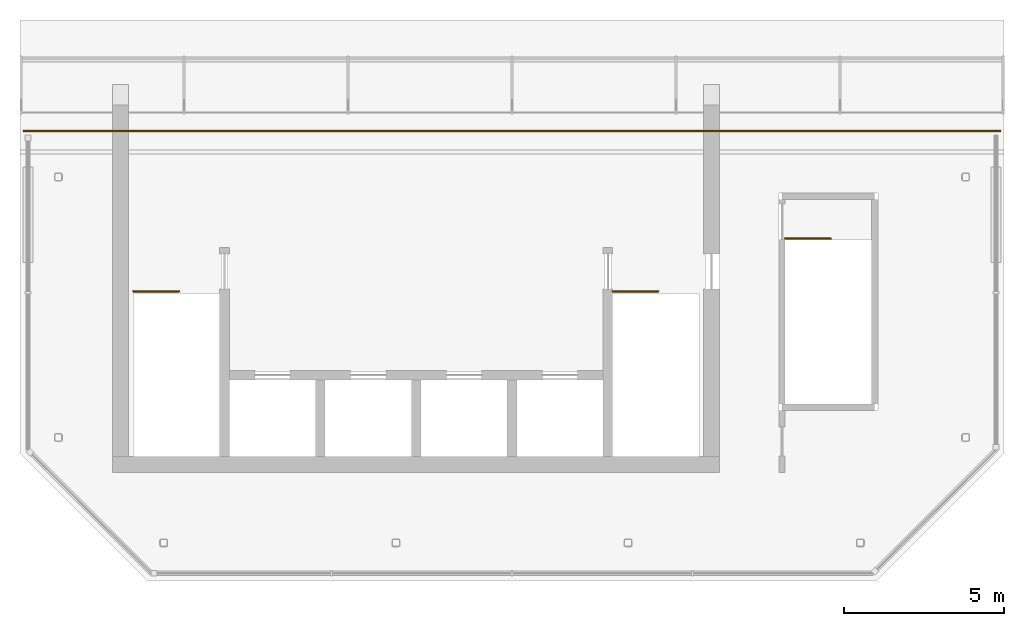
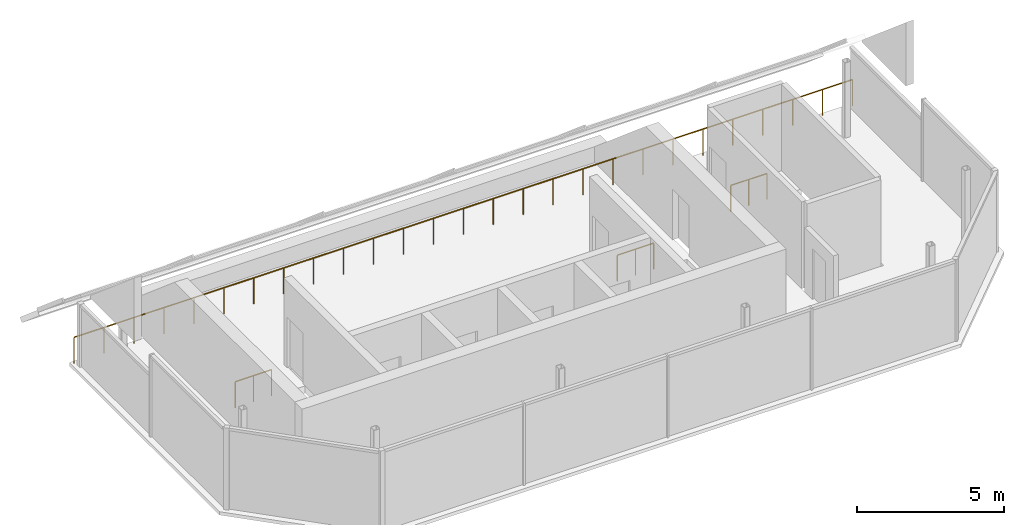
# One storey, part 3 of 3: 4 railings.
"""IFC4 building model written with IfcOpenShell, lengths in metres."""

from ifc_helpers import new_model, si_unit, direction, frame, origin, origin_2d, place, context, subcontext, project, spatial, circle, extrude, material, type_object, element, save


model = new_model("IFC4")

# Units and contexts
model_context = context("Model", 3, precision=1e-05, world=origin(), true_north=direction((0.0, 1.0)))
body_context = subcontext(model_context, "Body", "Model", "MODEL_VIEW")
ifc_project = project(units=[si_unit("LENGTHUNIT", "METRE"), si_unit("AREAUNIT", "SQUARE_METRE"), si_unit("VOLUMEUNIT", "CUBIC_METRE"), si_unit("PLANEANGLEUNIT", "RADIAN"), si_unit("MASSUNIT", "GRAM", prefix="KILO")], contexts=[model_context])

# Site, building, storey
site_placement = place(None, origin())
site = spatial("IfcSite", under=ifc_project, at=site_placement, CompositionType="ELEMENT")
building_placement = place(site_placement, origin())
building = spatial("IfcBuilding", under=site, at=building_placement, Name="Tskaro Facet Tower", CompositionType="ELEMENT")
storey_placement = place(building_placement, frame((0.0, 0.0, 311.699951171875)))
storey = spatial("IfcBuildingStorey", under=building, at=storey_placement, Name="L84", CompositionType="ELEMENT", Elevation=311.699951171875)

# Railings
ifc_material_1 = material(Name="Bronze anodised aluminium 6063-T6", Category="aluminium")
railing_type_1 = type_object("IfcRailingType", Name="Bronze guard rail (GD1)", PredefinedType="GUARDRAIL", material=ifc_material_1)
railing_placement = place(storey_placement, frame((18.280029296875, -1.30810546875, 0.0)))
element("IfcRailing", 1, at=railing_placement, inside=storey, type_object=railing_type_1, Name="Guard L84", PredefinedType="GUARDRAIL", context=body_context, shape_type="SweptSolid", body=[
    extrude(circle(Radius=0.02490234375, at=origin_2d()), frame((0.0, 0.0, 1.0751953125), z_axis=(-1.0, 0.0, 0.0), x_axis=(0.0, -1.0, 0.0)), (0.0, 0.0, 1.0), 30.56005859375),
    extrude(circle(Radius=0.02001953125, at=origin_2d()), origin(), (0.0, 0.0, 1.0), 1.050048828125),
    extrude(circle(Radius=0.02001953125, at=origin_2d()), frame((-1.17529296875, 0.0, 0.0)), (0.0, 0.0, 1.0), 1.050048828125),
    extrude(circle(Radius=0.02001953125, at=origin_2d()), frame((-2.350830078125, 0.0, 0.0)), (0.0, 0.0, 1.0), 1.050048828125),
    extrude(circle(Radius=0.02001953125, at=origin_2d()), frame((-3.526123046875, 0.0, 0.0)), (0.0, 0.0, 1.0), 1.050048828125),
    extrude(circle(Radius=0.02001953125, at=origin_2d()), frame((-4.70166015625, 0.0, 0.0)), (0.0, 0.0, 1.0), 1.050048828125),
    extrude(circle(Radius=0.02001953125, at=origin_2d()), frame((-5.876953125, 0.0, 0.0)), (0.0, 0.0, 1.0), 1.050048828125),
    extrude(circle(Radius=0.02001953125, at=origin_2d()), frame((-7.05224609375, 0.0, 0.0)), (0.0, 0.0, 1.0), 1.050048828125),
    extrude(circle(Radius=0.02001953125, at=origin_2d()), frame((-8.227783203125, 0.0, 0.0)), (0.0, 0.0, 1.0), 1.050048828125),
    extrude(circle(Radius=0.02001953125, at=origin_2d()), frame((-9.403076171875, 0.0, 0.0)), (0.0, 0.0, 1.0), 1.050048828125),
    extrude(circle(Radius=0.02001953125, at=origin_2d()), frame((-10.578369140625, 0.0, 0.0)), (0.0, 0.0, 1.0), 1.050048828125),
    extrude(circle(Radius=0.02001953125, at=origin_2d()), frame((-11.75390625, 0.0, 0.0)), (0.0, 0.0, 1.0), 1.050048828125),
    extrude(circle(Radius=0.02001953125, at=origin_2d()), frame((-12.92919921875, 0.0, 0.0)), (0.0, 0.0, 1.0), 1.050048828125),
    extrude(circle(Radius=0.02001953125, at=origin_2d()), frame((-14.104736328125, 0.0, 0.0)), (0.0, 0.0, 1.0), 1.050048828125),
    extrude(circle(Radius=0.02001953125, at=origin_2d()), frame((-15.280029296875, 0.0, 0.0)), (0.0, 0.0, 1.0), 1.050048828125),
    extrude(circle(Radius=0.02001953125, at=origin_2d()), frame((-16.455322265625, 0.0, 0.0)), (0.0, 0.0, 1.0), 1.050048828125),
    extrude(circle(Radius=0.02001953125, at=origin_2d()), frame((-17.630859375, 0.0, 0.0)), (0.0, 0.0, 1.0), 1.050048828125),
    extrude(circle(Radius=0.02001953125, at=origin_2d()), frame((-18.80615234375, 0.0, 0.0)), (0.0, 0.0, 1.0), 1.050048828125),
    extrude(circle(Radius=0.02001953125, at=origin_2d()), frame((-19.981689453125, 0.0, 0.0)), (0.0, 0.0, 1.0), 1.050048828125),
    extrude(circle(Radius=0.02001953125, at=origin_2d()), frame((-21.156982421875, 0.0, 0.0)), (0.0, 0.0, 1.0), 1.050048828125),
    extrude(circle(Radius=0.02001953125, at=origin_2d()), frame((-22.332275390625, 0.0, 0.0)), (0.0, 0.0, 1.0), 1.050048828125),
    extrude(circle(Radius=0.02001953125, at=origin_2d()), frame((-23.5078125, 0.0, 0.0)), (0.0, 0.0, 1.0), 1.050048828125),
    extrude(circle(Radius=0.02001953125, at=origin_2d()), frame((-24.68310546875, 0.0, 0.0)), (0.0, 0.0, 1.0), 1.050048828125),
    extrude(circle(Radius=0.02001953125, at=origin_2d()), frame((-25.8583984375, 0.0, 0.0)), (0.0, 0.0, 1.0), 1.050048828125),
    extrude(circle(Radius=0.02001953125, at=origin_2d()), frame((-27.033935546875, 0.0, 0.0)), (0.0, 0.0, 1.0), 1.050048828125),
    extrude(circle(Radius=0.02001953125, at=origin_2d()), frame((-28.209228515625, 0.0, 0.0)), (0.0, 0.0, 1.0), 1.050048828125),
    extrude(circle(Radius=0.02001953125, at=origin_2d()), frame((-29.384765625, 0.0, 0.0)), (0.0, 0.0, 1.0), 1.050048828125),
    extrude(circle(Radius=0.02001953125, at=origin_2d()), frame((-30.56005859375, 0.0, 0.0)), (0.0, 0.0, 1.0), 1.050048828125),
])
ifc_material_2 = material(Name="Stainless steel", Category="steel")
railing_type_2 = type_object("IfcRailingType", Name="RL-GUARD-1100", PredefinedType="GUARDRAIL", material=ifc_material_2)
for number, where, name in (
    (2, (-8.85009765625, -6.324951171875, 0.0), "L84 ST-1 top well guard 1"),
    (3, (6.14990234375, -6.324951171875, 0.0), "L84 ST-2 top well guard 1"),
    (4, (11.550048828125, -4.675048828125, 0.0), "L84 ST-4 top well guard 1"),
):
    element("IfcRailing", number, at=place(storey_placement, frame(where)), inside=storey, type_object=railing_type_2, Name=name, PredefinedType="GUARDRAIL", context=body_context, shape_type="SweptSolid", body=[
        extrude(circle(Radius=0.02392578125, at=origin_2d()), frame((0.0, 0.0, 1.076171875), z_axis=(1.0, 0.0, 0.0), x_axis=(0.0, 1.0, 0.0)), (0.0, 0.0, 1.0), 1.425048828125),
        extrude(circle(Radius=0.02099609375, at=origin_2d()), origin(), (0.0, 0.0, 1.0), 1.052001953125),
        extrude(circle(Radius=0.02099609375, at=origin_2d()), frame((0.71240234375, 0.0, 0.0)), (0.0, 0.0, 1.0), 1.052001953125),
        extrude(circle(Radius=0.02099609375, at=origin_2d()), frame((1.425048828125, 0.0, 0.0)), (0.0, 0.0, 1.0), 1.052001953125),
    ])

save(model, "model.ifc")
